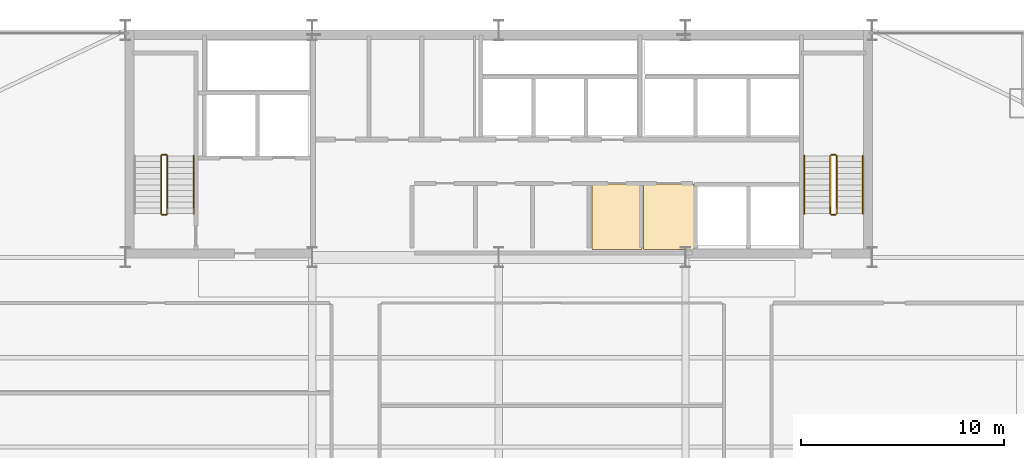
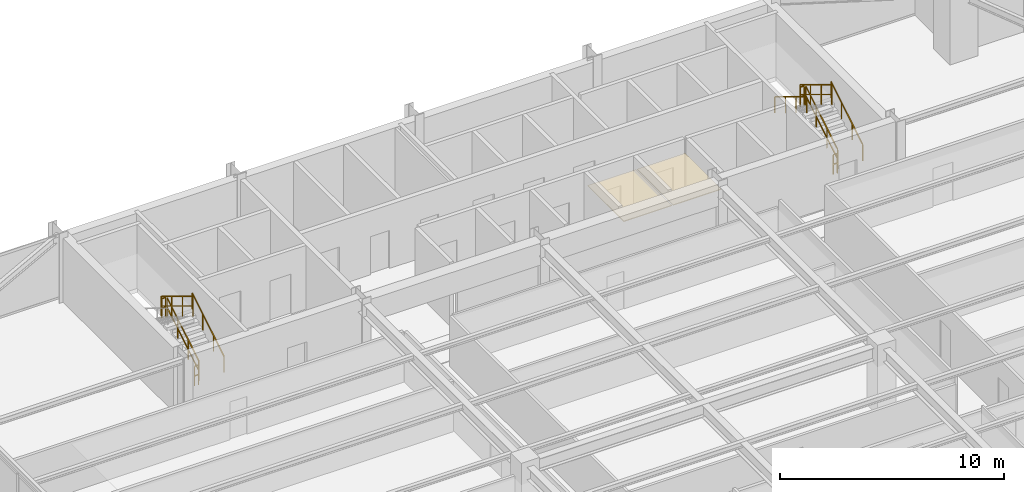
# One storey, part 33 of 33: 11 railings, 2 coverings.
"""IFC4 building model written with IfcOpenShell, lengths in metres."""

from ifc_helpers import new_model, si_unit, direction, frame, origin, origin_2d, place, context, subcontext, project, spatial, polyline, rectangle, outline, extrude, material, layer, layer_set, type_object, element, save


model = new_model("IFC4")

# Units and contexts
model_context = context("Model", 3, precision=1e-05, world=origin(), true_north=direction((0.0, 1.0)))
body_context = subcontext(model_context, "Body", "Model", "MODEL_VIEW")
ifc_project = project(units=[si_unit("LENGTHUNIT", "METRE"), si_unit("AREAUNIT", "SQUARE_METRE"), si_unit("VOLUMEUNIT", "CUBIC_METRE"), si_unit("PLANEANGLEUNIT", "RADIAN"), si_unit("MASSUNIT", "GRAM", prefix="KILO")], contexts=[model_context])

# Site, building, storey
site_placement = place(None, origin())
site = spatial("IfcSite", under=ifc_project, at=site_placement, CompositionType="ELEMENT")
building_placement = place(site_placement, origin())
building = spatial("IfcBuilding", under=site, at=building_placement, Name="Varnel Quay Broadcast Tower", CompositionType="ELEMENT")
storey_placement = place(building_placement, frame((0.0, 0.0, 137.199951171875)))
storey = spatial("IfcBuildingStorey", under=building, at=storey_placement, Name="L33", CompositionType="ELEMENT", Elevation=137.199951171875)

# Coverings
ifc_material_1 = material(Name="Micro-Perforated Acoustic Ceiling Tile")
ifc_layer = layer(ifc_material_1, 0.0400390625, Name="Micro-Perforated Acoustic Ceiling Tile")
ifc_layer_set = layer_set([ifc_layer], Name="Micro-Perforated Acoustic Ceiling Tile")
covering_type = type_object("IfcCoveringType", Name="Cov_AcousticCeiling", PredefinedType="CEILING", material=ifc_layer_set)
covering_1_placement = place(storey_placement, frame((0.0, 0.0, 2.580078125)))
element("IfcCovering", 1, at=covering_1_placement, inside=storey, type_object=covering_type, Name="L33 Cleaners' & Linen Store Acoustic Ceiling", PredefinedType="CEILING", context=body_context, shape_type="SweptSolid", body=[
    extrude(outline(polyline([(38.5849609375, 35.985107421875), (41.06494140625, 35.985107421875), (41.06494140625, 39.215087890625), (38.5849609375, 39.215087890625), (38.5849609375, 35.985107421875)])), origin(), (0.0, 0.0, 1.0), 0.0400390625),
])
covering_2_placement = place(storey_placement, frame((0.0, 0.0, 2.580078125)))
element("IfcCovering", 2, at=covering_2_placement, inside=storey, type_object=covering_type, Name="L33 Telecom IDF Closet Acoustic Ceiling", PredefinedType="CEILING", context=body_context, shape_type="SweptSolid", body=[
    extrude(outline(polyline([(41.135009765625, 35.985107421875), (43.614990234375, 35.985107421875), (43.614990234375, 39.215087890625), (41.135009765625, 39.215087890625), (41.135009765625, 35.985107421875)])), origin(), (0.0, 0.0, 1.0), 0.0400390625),
])

# Railings
ifc_material_2 = material(Name="Painted Steel Guard and Handrail CSA G40.21 350W", Category="steel")
railing_type_1 = type_object("IfcRailingType", Name="Rail_StairGuard1100", PredefinedType="GUARDRAIL", material=ifc_material_2)
railing_1_placement = place(storey_placement, frame((17.64990234375, 37.75, 0.1728515625)))
element("IfcRailing", 3, at=railing_1_placement, inside=storey, type_object=railing_type_1, Name="L33 ST-01 stair guard 1", PredefinedType="GUARDRAIL", context=body_context, shape_type="SweptSolid", body=[
    extrude(rectangle(XDim=0.048095703125, YDim=0.048095703125, at=origin_2d()), frame((0.0, 0.0, 1.076171875), z_axis=(0.0, 0.855202751398, 0.518293598264), x_axis=(-1.0, 0.0, 0.0)), (0.0, 0.0, 1.0), 3.332763671875),
    extrude(rectangle(XDim=0.048095703125, YDim=0.048095703125, at=origin_2d()), frame((0.0, 0.0, 0.550048828125), z_axis=(0.0, 0.855202751398, 0.518293598264), x_axis=(-1.0, 0.0, 0.0)), (0.0, 0.0, 1.0), 3.332763671875),
    extrude(rectangle(XDim=0.0419921875, YDim=0.0419921875, at=origin_2d()), origin(), (0.0, 0.0, 1.0), 1.052001953125),
    extrude(rectangle(XDim=0.0419921875, YDim=0.0419921875, at=origin_2d()), frame((0.0, 0.949951171875, 0.57568359375)), (0.0, 0.0, 1.0), 1.052001953125),
    extrude(rectangle(XDim=0.0419921875, YDim=0.0419921875, at=origin_2d()), frame((0.0, 1.900146484375, 1.151611328125)), (0.0, 0.0, 1.0), 1.052001953125),
    extrude(rectangle(XDim=0.0419921875, YDim=0.0419921875, at=origin_2d()), frame((0.0, 2.85009765625, 1.727294921875)), (0.0, 0.0, 1.0), 1.052001953125),
])
railing_2_placement = place(storey_placement, frame((17.60009765625, 40.64990234375, 1.900146484375)))
element("IfcRailing", 4, at=railing_2_placement, inside=storey, type_object=railing_type_1, Name="L33 ST-01 stair guard 2", PredefinedType="GUARDRAIL", context=body_context, shape_type="SweptSolid", body=[
    extrude(rectangle(XDim=0.048095703125, YDim=0.048095703125, at=origin_2d()), frame((0.0, 0.0, 1.076171875), z_axis=(-1.0, 0.0, 0.0), x_axis=(0.0, -1.0, 0.0)), (0.0, 0.0, 1.0), 0.2001953125),
    extrude(rectangle(XDim=0.048095703125, YDim=0.048095703125, at=origin_2d()), frame((0.0, 0.0, 0.550048828125), z_axis=(-1.0, 0.0, 0.0), x_axis=(0.0, -1.0, 0.0)), (0.0, 0.0, 1.0), 0.2001953125),
    extrude(rectangle(XDim=0.0419921875, YDim=0.0419921875, at=origin_2d()), origin(), (0.0, 0.0, 1.0), 1.052001953125),
    extrude(rectangle(XDim=0.0419921875, YDim=0.0419921875, at=origin_2d()), frame((-0.2001953125, 0.0, 0.0)), (0.0, 0.0, 1.0), 1.052001953125),
])
railing_3_placement = place(storey_placement, frame((17.35009765625, 40.60009765625, 2.07275390625)))
element("IfcRailing", 5, at=railing_3_placement, inside=storey, type_object=railing_type_1, Name="L33 ST-01 stair guard 3", PredefinedType="GUARDRAIL", context=body_context, shape_type="SweptSolid", body=[
    extrude(rectangle(XDim=0.048095703125, YDim=0.048095703125, at=origin_2d()), frame((0.0, 0.0, 1.076171875), z_axis=(0.0, -0.855202751398, 0.518293598264), x_axis=(1.0, 0.0, 0.0)), (0.0, 0.0, 1.0), 3.332763671875),
    extrude(rectangle(XDim=0.048095703125, YDim=0.048095703125, at=origin_2d()), frame((0.0, 0.0, 0.550048828125), z_axis=(0.0, -0.855202751398, 0.518293598264), x_axis=(1.0, 0.0, 0.0)), (0.0, 0.0, 1.0), 3.332763671875),
    extrude(rectangle(XDim=0.0419921875, YDim=0.0419921875, at=origin_2d()), origin(), (0.0, 0.0, 1.0), 1.052001953125),
    extrude(rectangle(XDim=0.0419921875, YDim=0.0419921875, at=origin_2d()), frame((0.0, -0.949951171875, 0.57568359375)), (0.0, 0.0, 1.0), 1.052001953125),
    extrude(rectangle(XDim=0.0419921875, YDim=0.0419921875, at=origin_2d()), frame((0.0, -1.900146484375, 1.151611328125)), (0.0, 0.0, 1.0), 1.052001953125),
    extrude(rectangle(XDim=0.0419921875, YDim=0.0419921875, at=origin_2d()), frame((0.0, -2.85009765625, 1.727294921875)), (0.0, 0.0, 1.0), 1.052001953125),
])
railing_4_placement = place(storey_placement, frame((17.60009765625, 37.699951171875, 0.0)))
element("IfcRailing", 6, at=railing_4_placement, inside=storey, type_object=railing_type_1, Name="L33 ST-01 stair guard 4", PredefinedType="GUARDRAIL", context=body_context, shape_type="SweptSolid", body=[
    extrude(rectangle(XDim=0.048095703125, YDim=0.048095703125, at=origin_2d()), frame((0.0, 0.0, 1.076171875), z_axis=(-1.0, 0.0, 0.0), x_axis=(0.0, -1.0, 0.0)), (0.0, 0.0, 1.0), 0.2001953125),
    extrude(rectangle(XDim=0.048095703125, YDim=0.048095703125, at=origin_2d()), frame((0.0, 0.0, 0.550048828125), z_axis=(-1.0, 0.0, 0.0), x_axis=(0.0, -1.0, 0.0)), (0.0, 0.0, 1.0), 0.2001953125),
    extrude(rectangle(XDim=0.0419921875, YDim=0.0419921875, at=origin_2d()), origin(), (0.0, 0.0, 1.0), 1.052001953125),
    extrude(rectangle(XDim=0.0419921875, YDim=0.0419921875, at=origin_2d()), frame((-0.2001953125, 0.0, 0.0)), (0.0, 0.0, 1.0), 1.052001953125),
])
railing_5_placement = place(storey_placement, frame((50.64990234375, 37.75, 0.1728515625)))
element("IfcRailing", 7, at=railing_5_placement, inside=storey, type_object=railing_type_1, Name="L33 ST-02 stair guard 1", PredefinedType="GUARDRAIL", context=body_context, shape_type="SweptSolid", body=[
    extrude(rectangle(XDim=0.048095703125, YDim=0.048095703125, at=origin_2d()), frame((0.0, 0.0, 1.076171875), z_axis=(0.0, 0.855202751398, 0.518293598264), x_axis=(-1.0, 0.0, 0.0)), (0.0, 0.0, 1.0), 3.332763671875),
    extrude(rectangle(XDim=0.048095703125, YDim=0.048095703125, at=origin_2d()), frame((0.0, 0.0, 0.550048828125), z_axis=(0.0, 0.855202751398, 0.518293598264), x_axis=(-1.0, 0.0, 0.0)), (0.0, 0.0, 1.0), 3.332763671875),
    extrude(rectangle(XDim=0.0419921875, YDim=0.0419921875, at=origin_2d()), origin(), (0.0, 0.0, 1.0), 1.052001953125),
    extrude(rectangle(XDim=0.0419921875, YDim=0.0419921875, at=origin_2d()), frame((0.0, 0.949951171875, 0.57568359375)), (0.0, 0.0, 1.0), 1.052001953125),
    extrude(rectangle(XDim=0.0419921875, YDim=0.0419921875, at=origin_2d()), frame((0.0, 1.900146484375, 1.151611328125)), (0.0, 0.0, 1.0), 1.052001953125),
    extrude(rectangle(XDim=0.0419921875, YDim=0.0419921875, at=origin_2d()), frame((0.0, 2.85009765625, 1.727294921875)), (0.0, 0.0, 1.0), 1.052001953125),
])
railing_6_placement = place(storey_placement, frame((50.60009765625, 40.64990234375, 1.900146484375)))
element("IfcRailing", 8, at=railing_6_placement, inside=storey, type_object=railing_type_1, Name="L33 ST-02 stair guard 2", PredefinedType="GUARDRAIL", context=body_context, shape_type="SweptSolid", body=[
    extrude(rectangle(XDim=0.048095703125, YDim=0.048095703125, at=origin_2d()), frame((0.0, 0.0, 1.076171875), z_axis=(-1.0, 0.0, 0.0), x_axis=(0.0, -1.0, 0.0)), (0.0, 0.0, 1.0), 0.2001953125),
    extrude(rectangle(XDim=0.048095703125, YDim=0.048095703125, at=origin_2d()), frame((0.0, 0.0, 0.550048828125), z_axis=(-1.0, 0.0, 0.0), x_axis=(0.0, -1.0, 0.0)), (0.0, 0.0, 1.0), 0.2001953125),
    extrude(rectangle(XDim=0.0419921875, YDim=0.0419921875, at=origin_2d()), origin(), (0.0, 0.0, 1.0), 1.052001953125),
    extrude(rectangle(XDim=0.0419921875, YDim=0.0419921875, at=origin_2d()), frame((-0.2001953125, 0.0, 0.0)), (0.0, 0.0, 1.0), 1.052001953125),
])
railing_7_placement = place(storey_placement, frame((50.35009765625, 40.60009765625, 2.07275390625)))
element("IfcRailing", 9, at=railing_7_placement, inside=storey, type_object=railing_type_1, Name="L33 ST-02 stair guard 3", PredefinedType="GUARDRAIL", context=body_context, shape_type="SweptSolid", body=[
    extrude(rectangle(XDim=0.048095703125, YDim=0.048095703125, at=origin_2d()), frame((0.0, 0.0, 1.076171875), z_axis=(0.0, -0.855202751398, 0.518293598264), x_axis=(1.0, 0.0, 0.0)), (0.0, 0.0, 1.0), 3.332763671875),
    extrude(rectangle(XDim=0.048095703125, YDim=0.048095703125, at=origin_2d()), frame((0.0, 0.0, 0.550048828125), z_axis=(0.0, -0.855202751398, 0.518293598264), x_axis=(1.0, 0.0, 0.0)), (0.0, 0.0, 1.0), 3.332763671875),
    extrude(rectangle(XDim=0.0419921875, YDim=0.0419921875, at=origin_2d()), origin(), (0.0, 0.0, 1.0), 1.052001953125),
    extrude(rectangle(XDim=0.0419921875, YDim=0.0419921875, at=origin_2d()), frame((0.0, -0.949951171875, 0.57568359375)), (0.0, 0.0, 1.0), 1.052001953125),
    extrude(rectangle(XDim=0.0419921875, YDim=0.0419921875, at=origin_2d()), frame((0.0, -1.900146484375, 1.151611328125)), (0.0, 0.0, 1.0), 1.052001953125),
    extrude(rectangle(XDim=0.0419921875, YDim=0.0419921875, at=origin_2d()), frame((0.0, -2.85009765625, 1.727294921875)), (0.0, 0.0, 1.0), 1.052001953125),
])
railing_8_placement = place(storey_placement, frame((50.60009765625, 37.699951171875, 0.0)))
element("IfcRailing", 10, at=railing_8_placement, inside=storey, type_object=railing_type_1, Name="L33 ST-02 stair guard 4", PredefinedType="GUARDRAIL", context=body_context, shape_type="SweptSolid", body=[
    extrude(rectangle(XDim=0.048095703125, YDim=0.048095703125, at=origin_2d()), frame((0.0, 0.0, 1.076171875), z_axis=(-1.0, 0.0, 0.0), x_axis=(0.0, -1.0, 0.0)), (0.0, 0.0, 1.0), 0.2001953125),
    extrude(rectangle(XDim=0.048095703125, YDim=0.048095703125, at=origin_2d()), frame((0.0, 0.0, 0.550048828125), z_axis=(-1.0, 0.0, 0.0), x_axis=(0.0, -1.0, 0.0)), (0.0, 0.0, 1.0), 0.2001953125),
    extrude(rectangle(XDim=0.0419921875, YDim=0.0419921875, at=origin_2d()), origin(), (0.0, 0.0, 1.0), 1.052001953125),
    extrude(rectangle(XDim=0.0419921875, YDim=0.0419921875, at=origin_2d()), frame((-0.2001953125, 0.0, 0.0)), (0.0, 0.0, 1.0), 1.052001953125),
])
railing_type_2 = type_object("IfcRailingType", Name="Rail_StairHandrail900", PredefinedType="HANDRAIL", material=ifc_material_2)
for number, where, name in (
    (11, (18.949951171875, 37.75, 0.1728515625), "L33 ST-01 stair handrail 1"),
    (12, (51.949951171875, 37.75, 0.1728515625), "L33 ST-02 stair handrail 1"),
):
    element("IfcRailing", number, at=place(storey_placement, frame(where)), inside=storey, type_object=railing_type_2, Name=name, PredefinedType="HANDRAIL", context=body_context, shape_type="SweptSolid", body=[
        extrude(rectangle(XDim=0.048095703125, YDim=0.048095703125, at=origin_2d()), frame((0.0, 0.0, 0.8759765625), z_axis=(0.0, 0.855202751398, 0.518293598264), x_axis=(-1.0, 0.0, 0.0)), (0.0, 0.0, 1.0), 3.332763671875),
        extrude(rectangle(XDim=0.0419921875, YDim=0.0419921875, at=origin_2d()), origin(), (0.0, 0.0, 1.0), 0.851806640625),
        extrude(rectangle(XDim=0.0419921875, YDim=0.0419921875, at=origin_2d()), frame((0.0, 0.949951171875, 0.57568359375)), (0.0, 0.0, 1.0), 0.851806640625),
        extrude(rectangle(XDim=0.0419921875, YDim=0.0419921875, at=origin_2d()), frame((0.0, 1.900146484375, 1.151611328125)), (0.0, 0.0, 1.0), 0.851806640625),
        extrude(rectangle(XDim=0.0419921875, YDim=0.0419921875, at=origin_2d()), frame((0.0, 2.85009765625, 1.727294921875)), (0.0, 0.0, 1.0), 0.851806640625),
    ])
railing_9_placement = place(storey_placement, frame((49.050048828125, 40.60009765625, 2.07275390625)))
element("IfcRailing", 13, at=railing_9_placement, inside=storey, type_object=railing_type_2, Name="L33 ST-02 stair handrail 2", PredefinedType="HANDRAIL", context=body_context, shape_type="SweptSolid", body=[
    extrude(rectangle(XDim=0.048095703125, YDim=0.048095703125, at=origin_2d()), frame((0.0, 0.0, 0.8759765625), z_axis=(0.0, -0.855202751398, 0.518293598264), x_axis=(1.0, 0.0, 0.0)), (0.0, 0.0, 1.0), 3.332763671875),
    extrude(rectangle(XDim=0.0419921875, YDim=0.0419921875, at=origin_2d()), origin(), (0.0, 0.0, 1.0), 0.851806640625),
    extrude(rectangle(XDim=0.0419921875, YDim=0.0419921875, at=origin_2d()), frame((0.0, -0.949951171875, 0.57568359375)), (0.0, 0.0, 1.0), 0.851806640625),
    extrude(rectangle(XDim=0.0419921875, YDim=0.0419921875, at=origin_2d()), frame((0.0, -1.900146484375, 1.151611328125)), (0.0, 0.0, 1.0), 0.851806640625),
    extrude(rectangle(XDim=0.0419921875, YDim=0.0419921875, at=origin_2d()), frame((0.0, -2.85009765625, 1.727294921875)), (0.0, 0.0, 1.0), 0.851806640625),
])

save(model, "model.ifc")
